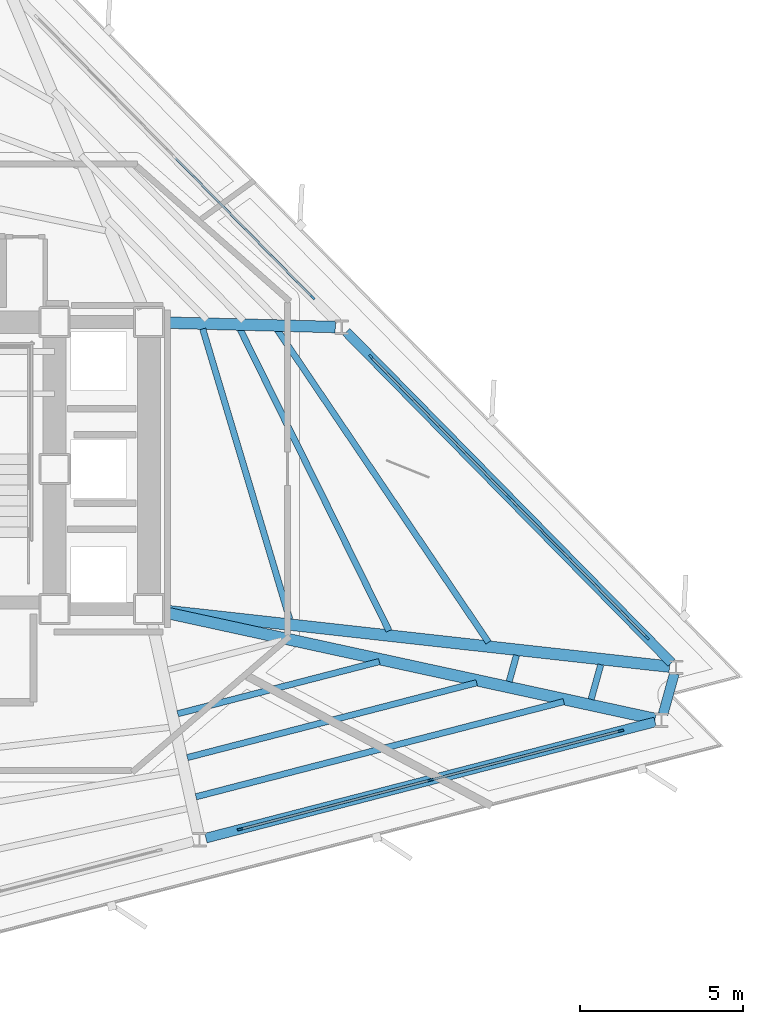
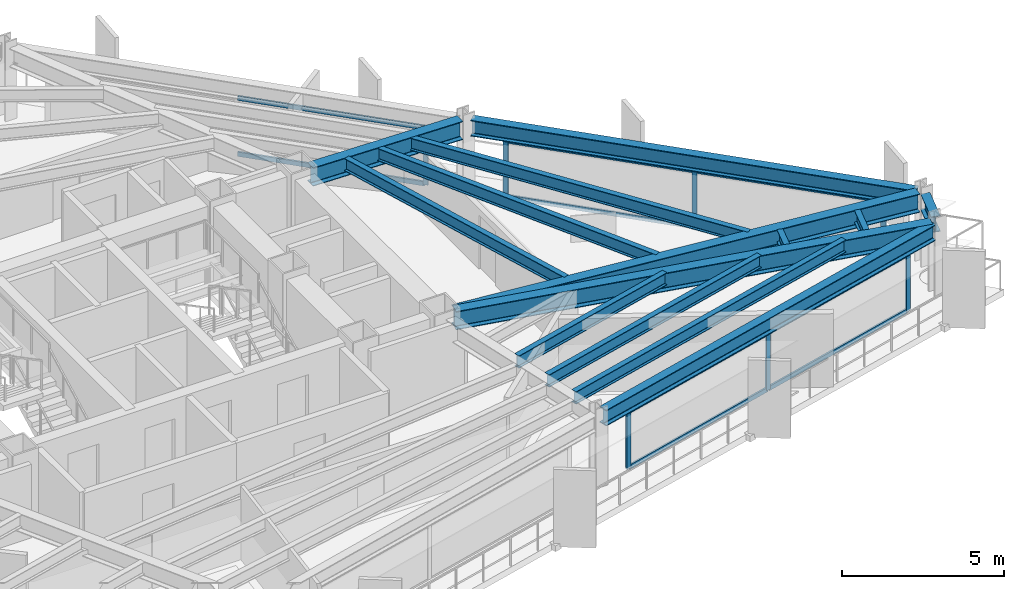
# One storey, part 4 of 11: 17 members, 14 beams, 3 elements without a shape of their own.
"""IFC4 building model written with IfcOpenShell, lengths in metres."""

from ifc_helpers import new_model, si_unit, direction, frame, origin, origin_2d, place, context, subcontext, project, spatial, rectangle, i_section, extrude, material, layer, layer_set, material_profile, profile_set, type_object, element, aggregate, save


model = new_model("IFC4")

# Units and contexts
model_context = context("Model", 3, precision=1e-05, world=origin(), true_north=direction((0.0, 1.0)))
body_context = subcontext(model_context, "Body", "Model", "MODEL_VIEW")
ifc_project = project(units=[si_unit("LENGTHUNIT", "METRE"), si_unit("AREAUNIT", "SQUARE_METRE"), si_unit("VOLUMEUNIT", "CUBIC_METRE"), si_unit("PLANEANGLEUNIT", "RADIAN"), si_unit("MASSUNIT", "GRAM", prefix="KILO")], contexts=[model_context])

# Site, building, storey
site_placement = place(None, origin())
site = spatial("IfcSite", under=ifc_project, at=site_placement, CompositionType="ELEMENT")
building_placement = place(site_placement, origin())
building = spatial("IfcBuilding", under=site, at=building_placement, Name="Rocaltana Carrier Exchange", CompositionType="ELEMENT")
storey_placement = place(building_placement, frame((0.0, 0.0, 88.639892578125)))
storey = spatial("IfcBuildingStorey", under=building, at=storey_placement, Name="L27", CompositionType="ELEMENT", Elevation=88.639892578125)

# Curtain wall, members
ifc_material_1 = material(Name="Aluminium 6063-T6", Category="aluminium")
ifc_layer = layer(ifc_material_1, 0.1650390625)
ifc_layer_set = layer_set([ifc_layer], Name="Aluminium 6063-T6")
curtain_wall_type = type_object("IfcCurtainWallType", Name="Lower-Mid Stepped Curtain Wall CW-02", PredefinedType="NOTDEFINED", material=ifc_layer_set)
curtain_wall_1_placement = place(storey_placement, origin())
curtain_wall_1 = element("IfcCurtainWall", 1, at=curtain_wall_1_placement, inside=storey, type_object=curtain_wall_type, Name="L27 CW-02 Run CW-L27-F1S1", PredefinedType="NOTDEFINED")
ifc_material_2 = material(Name="Aluminium 6063-T6", Category="aluminium")
ifc_material_profile_1 = material_profile(ifc_material_2, rectangle(XDim=0.06494140625, YDim=0.1650390625, at=origin_2d()), Name="AL-65X165")
ifc_profile_set_1 = profile_set([ifc_material_profile_1], Name="Aluminium 6063-T6")
member_type_1 = type_object("IfcMemberType", Name="CW-02 Mullion AL-65X165", PredefinedType="MULLION", material=ifc_profile_set_1)
member_1_placement = place(storey_placement, frame((24.21875, -5.1767578125, 0.0), z_axis=(0.0, 0.0, 1.0), x_axis=(-0.713244767898, -0.700915045542, 0.0)))
member_1 = element("IfcMember", 2, at=member_1_placement, type_object=member_type_1, Name="CW-02 mullion 1", PredefinedType="MULLION", context=body_context, shape_type="SweptSolid", body=[
    extrude(rectangle(XDim=0.06494140625, YDim=0.1650390625, at=origin_2d()), origin(), (0.0, 0.0, 1.0), 2.168212890625),
])
member_2_placement = place(storey_placement, frame((19.989501953125, -0.872802734375, 0.0), z_axis=(0.0, 0.0, 1.0), x_axis=(-0.713244767898, -0.700915045542, 0.0)))
member_2 = element("IfcMember", 3, at=member_2_placement, type_object=member_type_1, Name="CW-02 mullion 2", PredefinedType="MULLION", context=body_context, shape_type="SweptSolid", body=[
    extrude(rectangle(XDim=0.06494140625, YDim=0.1650390625, at=origin_2d()), origin(), (0.0, 0.0, 1.0), 2.168212890625),
])
member_3_placement = place(storey_placement, frame((15.760009765625, 3.430908203125, 0.0), z_axis=(0.0, 0.0, 1.0), x_axis=(-0.713244767898, -0.700915045542, 0.0)))
member_3 = element("IfcMember", 4, at=member_3_placement, type_object=member_type_1, Name="CW-02 mullion 3", PredefinedType="MULLION", context=body_context, shape_type="SweptSolid", body=[
    extrude(rectangle(XDim=0.06494140625, YDim=0.1650390625, at=origin_2d()), origin(), (0.0, 0.0, 1.0), 2.168212890625),
])

# Curtain wall, member
curtain_wall_2_placement = place(storey_placement, origin())
curtain_wall_2 = element("IfcCurtainWall", 5, at=curtain_wall_2_placement, inside=storey, type_object=curtain_wall_type, Name="L27 CW-02 Run CW-L27-F1S2", PredefinedType="NOTDEFINED")
member_4_placement = place(storey_placement, frame((13.962158203125, 5.260498046875, 0.0), z_axis=(0.0, 0.0, 1.0), x_axis=(-0.713244696676, -0.700915118017, 0.0)))
member_4 = element("IfcMember", 6, at=member_4_placement, type_object=member_type_1, Name="CW-02 mullion 1", PredefinedType="MULLION", context=body_context, shape_type="SweptSolid", body=[
    extrude(rectangle(XDim=0.06494140625, YDim=0.1650390625, at=origin_2d()), origin(), (0.0, 0.0, 1.0), 2.168212890625),
])

# Curtain wall, members
curtain_wall_3_placement = place(storey_placement, origin())
curtain_wall_3 = element("IfcCurtainWall", 7, at=curtain_wall_3_placement, inside=storey, type_object=curtain_wall_type, Name="L27 CW-02 Run CW-L27-F3S3", PredefinedType="NOTDEFINED")
member_5_placement = place(storey_placement, frame((11.741943359375, -11.057861328125, 0.0), z_axis=(0.0, 0.0, 1.0), x_axis=(-0.250370035526, 0.96815021836, 0.0)))
member_5 = element("IfcMember", 8, at=member_5_placement, type_object=member_type_1, Name="CW-02 mullion 1", PredefinedType="MULLION", context=body_context, shape_type="SweptSolid", body=[
    extrude(rectangle(XDim=0.06494140625, YDim=0.1650390625, at=origin_2d()), origin(), (0.0, 0.0, 1.0), 2.168212890625),
])
member_6_placement = place(storey_placement, frame((17.583740234375, -9.547119140625, 0.0), z_axis=(0.0, 0.0, 1.0), x_axis=(-0.250370035526, 0.96815021836, 0.0)))
member_6 = element("IfcMember", 9, at=member_6_placement, type_object=member_type_1, Name="CW-02 mullion 2", PredefinedType="MULLION", context=body_context, shape_type="SweptSolid", body=[
    extrude(rectangle(XDim=0.06494140625, YDim=0.1650390625, at=origin_2d()), origin(), (0.0, 0.0, 1.0), 2.168212890625),
])
member_7_placement = place(storey_placement, frame((23.42578125, -8.036376953125, 0.0), z_axis=(0.0, 0.0, 1.0), x_axis=(-0.250370035526, 0.96815021836, 0.0)))
member_7 = element("IfcMember", 10, at=member_7_placement, type_object=member_type_1, Name="CW-02 mullion 3", PredefinedType="MULLION", context=body_context, shape_type="SweptSolid", body=[
    extrude(rectangle(XDim=0.06494140625, YDim=0.1650390625, at=origin_2d()), origin(), (0.0, 0.0, 1.0), 2.168212890625),
])

# Member
ifc_material_3 = material(Name="Aluminium 6063-T6", Category="aluminium")
ifc_material_profile_2 = material_profile(ifc_material_3, rectangle(XDim=0.06494140625, YDim=0.1650390625, at=origin_2d()), Name="AL-65X165")
ifc_profile_set_2 = profile_set([ifc_material_profile_2], Name="Aluminium 6063-T6")
member_type_2 = type_object("IfcMemberType", Name="CW-02 Transom AL-65X165", PredefinedType="USERDEFINED", material=ifc_profile_set_2)
member_8_placement = place(storey_placement, frame((24.196044921875, -5.153564453125, 0.03271484375), z_axis=(-0.700903905011, 0.713255715673, 0.0), x_axis=(-0.713255715673, -0.700903905011, 0.0)))
member_8 = element("IfcMember", 11, at=member_8_placement, type_object=member_type_2, Name="CW-02 transom 1.1", ObjectType="TRANSOM", PredefinedType="USERDEFINED", context=body_context, shape_type="SweptSolid", body=[
    extrude(rectangle(XDim=0.06494140625, YDim=0.1650390625, at=origin_2d()), origin(), (0.0, 0.0, 1.0), 5.96923828125),
])

member_9_placement = place(storey_placement, frame((24.196044921875, -5.153564453125, 2.135498046875), z_axis=(-0.700903905011, 0.713255715673, 0.0), x_axis=(-0.713255715673, -0.700903905011, 0.0)))
member_9 = element("IfcMember", 12, at=member_9_placement, type_object=member_type_2, Name="CW-02 transom 1.2", ObjectType="TRANSOM", PredefinedType="USERDEFINED", context=body_context, shape_type="SweptSolid", body=[
    extrude(rectangle(XDim=0.06494140625, YDim=0.1650390625, at=origin_2d()), origin(), (0.0, 0.0, 1.0), 5.96923828125),
])

member_10_placement = place(storey_placement, frame((19.966552734375, -0.849609375, 0.03271484375), z_axis=(-0.700924352217, 0.713235621985, 0.0), x_axis=(-0.713235621985, -0.700924352217, 0.0)))
member_10 = element("IfcMember", 13, at=member_10_placement, type_object=member_type_2, Name="CW-02 transom 2.1", ObjectType="TRANSOM", PredefinedType="USERDEFINED", context=body_context, shape_type="SweptSolid", body=[
    extrude(rectangle(XDim=0.06494140625, YDim=0.1650390625, at=origin_2d()), origin(), (0.0, 0.0, 1.0), 5.968994140625),
])

member_11_placement = place(storey_placement, frame((19.966552734375, -0.849609375, 2.135498046875), z_axis=(-0.700924352217, 0.713235621985, 0.0), x_axis=(-0.713235621985, -0.700924352217, 0.0)))
member_11 = element("IfcMember", 14, at=member_11_placement, type_object=member_type_2, Name="CW-02 transom 2.2", ObjectType="TRANSOM", PredefinedType="USERDEFINED", context=body_context, shape_type="SweptSolid", body=[
    extrude(rectangle(XDim=0.06494140625, YDim=0.1650390625, at=origin_2d()), origin(), (0.0, 0.0, 1.0), 5.968994140625),
])

aggregate(curtain_wall_1, [member_1, member_2, member_3, member_8, member_9, member_10, member_11])

member_12_placement = place(storey_placement, frame((13.939453125, 5.28369140625, 0.03271484375), z_axis=(-0.700903905011, 0.713255715673, 0.0), x_axis=(-0.713255715673, -0.700903905011, 0.0)))
member_12 = element("IfcMember", 15, at=member_12_placement, type_object=member_type_2, Name="CW-02 transom 1.1", ObjectType="TRANSOM", PredefinedType="USERDEFINED", context=body_context, shape_type="SweptSolid", body=[
    extrude(rectangle(XDim=0.06494140625, YDim=0.1650390625, at=origin_2d()), origin(), (0.0, 0.0, 1.0), 5.96923828125),
])

member_13_placement = place(storey_placement, frame((13.939453125, 5.28369140625, 2.135498046875), z_axis=(-0.700903905011, 0.713255715673, 0.0), x_axis=(-0.713255715673, -0.700903905011, 0.0)))
member_13 = element("IfcMember", 16, at=member_13_placement, type_object=member_type_2, Name="CW-02 transom 1.2", ObjectType="TRANSOM", PredefinedType="USERDEFINED", context=body_context, shape_type="SweptSolid", body=[
    extrude(rectangle(XDim=0.06494140625, YDim=0.1650390625, at=origin_2d()), origin(), (0.0, 0.0, 1.0), 5.96923828125),
])

aggregate(curtain_wall_2, [member_4, member_12, member_13])

member_14_placement = place(storey_placement, frame((11.7734375, -11.0498046875, 0.03271484375), z_axis=(0.968142466864, 0.250400007695, 0.0), x_axis=(-0.250400007695, 0.968142466864, 0.0)))
member_14 = element("IfcMember", 17, at=member_14_placement, type_object=member_type_2, Name="CW-02 transom 1.1", ObjectType="TRANSOM", PredefinedType="USERDEFINED", context=body_context, shape_type="SweptSolid", body=[
    extrude(rectangle(XDim=0.06494140625, YDim=0.1650390625, at=origin_2d()), origin(), (0.0, 0.0, 1.0), 5.968994140625),
])

member_15_placement = place(storey_placement, frame((11.7734375, -11.0498046875, 2.135498046875), z_axis=(0.968142466864, 0.250400007695, 0.0), x_axis=(-0.250400007695, 0.968142466864, 0.0)))
member_15 = element("IfcMember", 18, at=member_15_placement, type_object=member_type_2, Name="CW-02 transom 1.2", ObjectType="TRANSOM", PredefinedType="USERDEFINED", context=body_context, shape_type="SweptSolid", body=[
    extrude(rectangle(XDim=0.06494140625, YDim=0.1650390625, at=origin_2d()), origin(), (0.0, 0.0, 1.0), 5.968994140625),
])

member_16_placement = place(storey_placement, frame((17.615234375, -9.5390625, 0.03271484375), z_axis=(0.968145031253, 0.250390092575, 0.0), x_axis=(-0.250390092575, 0.968145031253, 0.0)))
member_16 = element("IfcMember", 19, at=member_16_placement, type_object=member_type_2, Name="CW-02 transom 2.1", ObjectType="TRANSOM", PredefinedType="USERDEFINED", context=body_context, shape_type="SweptSolid", body=[
    extrude(rectangle(XDim=0.06494140625, YDim=0.1650390625, at=origin_2d()), origin(), (0.0, 0.0, 1.0), 5.96923828125),
])

member_17_placement = place(storey_placement, frame((17.615234375, -9.5390625, 2.135498046875), z_axis=(0.968145031253, 0.250390092575, 0.0), x_axis=(-0.250390092575, 0.968145031253, 0.0)))
member_17 = element("IfcMember", 20, at=member_17_placement, type_object=member_type_2, Name="CW-02 transom 2.2", ObjectType="TRANSOM", PredefinedType="USERDEFINED", context=body_context, shape_type="SweptSolid", body=[
    extrude(rectangle(XDim=0.06494140625, YDim=0.1650390625, at=origin_2d()), origin(), (0.0, 0.0, 1.0), 5.96923828125),
])

aggregate(curtain_wall_3, [member_5, member_6, member_7, member_14, member_15, member_16, member_17])

# Beams
ifc_material_4 = material(Name="Steel S355", Category="steel")
ifc_material_profile_3 = material_profile(ifc_material_4, i_section(OverallWidth=0.193115234375, OverallDepth=0.466064453125, WebThickness=0.011474609375, FlangeThickness=0.01904296875, FilletRadius=0.013916015625, at=origin_2d()), Name="W18X65")
ifc_profile_set_3 = profile_set([ifc_material_profile_3], Name="Steel S355")
beam_type_1 = type_object("IfcBeamType", Name="Floor Joist W18X65", PredefinedType="JOIST", material=ifc_profile_set_3)
beam_1_placement = place(storey_placement, frame((13.26611328125, -4.619384765625, 2.55517578125), z_axis=(-0.287034949518, 0.95792011032, 0.0), x_axis=(-0.95792011032, -0.287034949518, 0.0)))
element("IfcBeam", 21, at=beam_1_placement, inside=storey, type_object=beam_type_1, Name="FJ-L27-01-1", PredefinedType="JOIST", context=body_context, shape_type="SweptSolid", body=[
    extrude(i_section(OverallWidth=0.193115234375, OverallDepth=0.466064453125, WebThickness=0.011474609375, FlangeThickness=0.01904296875, FilletRadius=0.013916015625, at=origin_2d()), origin(), (0.0, 0.0, 1.0), 9.30517578125),
])
beam_2_placement = place(storey_placement, frame((16.311279296875, -4.97021484375, 2.55517578125), z_axis=(-0.442813915887, 0.89661353765, 0.0), x_axis=(-0.89661353765, -0.442813915887, 0.0)))
element("IfcBeam", 22, at=beam_2_placement, inside=storey, type_object=beam_type_1, Name="FJ-L27-01-2", PredefinedType="JOIST", context=body_context, shape_type="SweptSolid", body=[
    extrude(i_section(OverallWidth=0.193115234375, OverallDepth=0.466064453125, WebThickness=0.011474609375, FlangeThickness=0.01904296875, FilletRadius=0.013916015625, at=origin_2d()), origin(), (0.0, 0.0, 1.0), 10.311767578125),
])
beam_3_placement = place(storey_placement, frame((19.363037109375, -5.322509765625, 2.55517578125), z_axis=(-0.55996593104, 0.828515634177, 0.0), x_axis=(-0.828515634177, -0.55996593104, 0.0)))
element("IfcBeam", 23, at=beam_3_placement, inside=storey, type_object=beam_type_1, Name="FJ-L27-01-3", PredefinedType="JOIST", context=body_context, shape_type="SweptSolid", body=[
    extrude(i_section(OverallWidth=0.193115234375, OverallDepth=0.466064453125, WebThickness=0.011474609375, FlangeThickness=0.01904296875, FilletRadius=0.013916015625, at=origin_2d()), origin(), (0.0, 0.0, 1.0), 11.56298828125),
])
beam_4_placement = place(storey_placement, frame((9.8291015625, -7.513427734375, 2.55517578125), z_axis=(0.968143557315, 0.250395791558, 0.0), x_axis=(-0.250395791558, 0.968143557315, 0.0)))
element("IfcBeam", 24, at=beam_4_placement, inside=storey, type_object=beam_type_1, Name="FJ-L27-11-2", PredefinedType="JOIST", context=body_context, shape_type="SweptSolid", body=[
    extrude(i_section(OverallWidth=0.193115234375, OverallDepth=0.466064453125, WebThickness=0.011474609375, FlangeThickness=0.01904296875, FilletRadius=0.013916015625, at=origin_2d()), origin(), (0.0, 0.0, 1.0), 6.388427734375),
])
beam_5_placement = place(storey_placement, frame((10.123779296875, -8.8583984375, 2.55517578125), z_axis=(0.968146466447, 0.250384543264, 0.0), x_axis=(-0.250384543264, 0.968146466447, 0.0)))
element("IfcBeam", 25, at=beam_5_placement, inside=storey, type_object=beam_type_1, Name="FJ-L27-11-3", PredefinedType="JOIST", context=body_context, shape_type="SweptSolid", body=[
    extrude(i_section(OverallWidth=0.193115234375, OverallDepth=0.466064453125, WebThickness=0.011474609375, FlangeThickness=0.01904296875, FilletRadius=0.013916015625, at=origin_2d()), origin(), (0.0, 0.0, 1.0), 9.16845703125),
])
beam_6_placement = place(storey_placement, frame((10.38720703125, -10.061767578125, 2.55517578125), z_axis=(0.968148049608, 0.250378421674, 0.0), x_axis=(-0.250378421674, 0.968148049608, 0.0)))
element("IfcBeam", 26, at=beam_6_placement, inside=storey, type_object=beam_type_1, Name="FJ-L27-11-4", PredefinedType="JOIST", context=body_context, shape_type="SweptSolid", body=[
    extrude(i_section(OverallWidth=0.193115234375, OverallDepth=0.466064453125, WebThickness=0.011474609375, FlangeThickness=0.01904296875, FilletRadius=0.013916015625, at=origin_2d()), origin(), (0.0, 0.0, 1.0), 11.65625),
])
beam_7_placement = place(storey_placement, frame((19.998046875, -6.525390625, 2.55517578125), z_axis=(0.267312721501, 0.96360983231, 0.0), x_axis=(-0.96360983231, 0.267312721501, 0.0)))
element("IfcBeam", 27, at=beam_7_placement, inside=storey, type_object=beam_type_1, Name="FJ-L27-12-3", PredefinedType="JOIST", context=body_context, shape_type="SweptSolid", body=[
    extrude(i_section(OverallWidth=0.193115234375, OverallDepth=0.466064453125, WebThickness=0.011474609375, FlangeThickness=0.01904296875, FilletRadius=0.013916015625, at=origin_2d()), origin(), (0.0, 0.0, 1.0), 0.836669921875),
])
beam_8_placement = place(storey_placement, frame((22.5126953125, -7.07177734375, 2.55517578125), z_axis=(0.267336435307, 0.963603253605, 0.0), x_axis=(-0.963603253605, 0.267336435307, 0.0)))
element("IfcBeam", 28, at=beam_8_placement, inside=storey, type_object=beam_type_1, Name="FJ-L27-12-4", PredefinedType="JOIST", context=body_context, shape_type="SweptSolid", body=[
    extrude(i_section(OverallWidth=0.193115234375, OverallDepth=0.466064453125, WebThickness=0.011474609375, FlangeThickness=0.01904296875, FilletRadius=0.013916015625, at=origin_2d()), origin(), (0.0, 0.0, 1.0), 1.10595703125),
])
ifc_material_5 = material(Name="Steel S355", Category="steel")
ifc_material_profile_4 = material_profile(ifc_material_5, i_section(OverallWidth=0.35498046875, OverallDepth=0.695068359375, WebThickness=0.015380859375, FlangeThickness=0.02490234375, FilletRadius=0.01806640625, at=origin_2d()), Name="W27X146")
ifc_profile_set_4 = profile_set([ifc_material_profile_4], Name="Steel S355")
beam_type_2 = type_object("IfcBeamType", Name="Radial Girder W27X146", PredefinedType="BEAM", material=ifc_profile_set_4)
beam_9_placement = place(storey_placement, frame((9.414306640625, -4.351318359375, 2.440673828125), z_axis=(0.993916704851, -0.110134389809, 0.0), x_axis=(0.110134389809, 0.993916704851, 0.0)))
element("IfcBeam", 29, at=beam_9_placement, inside=storey, type_object=beam_type_2, Name="RG-L27-01", PredefinedType="BEAM", context=body_context, shape_type="SweptSolid", body=[
    extrude(i_section(OverallWidth=0.35498046875, OverallDepth=0.695068359375, WebThickness=0.015380859375, FlangeThickness=0.02490234375, FilletRadius=0.01806640625, at=origin_2d()), origin(), (0.0, 0.0, 1.0), 15.6015625),
])
beam_10_placement = place(storey_placement, frame((9.416748046875, 4.48779296875, 2.440673828125), z_axis=(0.99965940255, -0.026097488242, 0.0), x_axis=(0.026097488242, 0.99965940255, 0.0)))
element("IfcBeam", 30, at=beam_10_placement, inside=storey, type_object=beam_type_2, Name="RG-L27-02", PredefinedType="BEAM", context=body_context, shape_type="SweptSolid", body=[
    extrude(i_section(OverallWidth=0.35498046875, OverallDepth=0.695068359375, WebThickness=0.015380859375, FlangeThickness=0.02490234375, FilletRadius=0.01806640625, at=origin_2d()), origin(), (0.0, 0.0, 1.0), 5.248046875),
])
beam_11_placement = place(storey_placement, frame((9.406494140625, -4.399169921875, 2.440673828125), z_axis=(0.977197794576, -0.212331039362, 0.0), x_axis=(0.212331039362, 0.977197794576, 0.0)))
element("IfcBeam", 31, at=beam_11_placement, inside=storey, type_object=beam_type_2, Name="RG-L27-12", PredefinedType="BEAM", context=body_context, shape_type="SweptSolid", body=[
    extrude(i_section(OverallWidth=0.35498046875, OverallDepth=0.695068359375, WebThickness=0.015380859375, FlangeThickness=0.02490234375, FilletRadius=0.01806640625, at=origin_2d()), origin(), (0.0, 0.0, 1.0), 15.4189453125),
])
ifc_material_6 = material(Name="Steel S355", Category="steel")
ifc_material_profile_5 = material_profile(ifc_material_6, i_section(OverallWidth=0.300048828125, OverallDepth=0.60009765625, WebThickness=0.015380859375, FlangeThickness=0.030029296875, FilletRadius=0.027099609375, at=origin_2d()), Name="HEB600")
ifc_profile_set_5 = profile_set([ifc_material_profile_5], Name="Steel S355")
beam_type_3 = type_object("IfcBeamType", Name="Spandrel Edge Beam HEB600", PredefinedType="SPANDREL", material=ifc_profile_set_5)
beam_12_placement = place(storey_placement, frame((24.97900390625, -5.9501953125, 2.488037109375), z_axis=(-0.700906560302, 0.713253106356, 0.0), x_axis=(-0.713253106356, -0.700906560302, 0.0)))
element("IfcBeam", 32, at=beam_12_placement, inside=storey, type_object=beam_type_3, Name="SP-L27-01", PredefinedType="SPANDREL", context=body_context, shape_type="SweptSolid", body=[
    extrude(i_section(OverallWidth=0.300048828125, OverallDepth=0.60009765625, WebThickness=0.015380859375, FlangeThickness=0.030029296875, FilletRadius=0.027099609375, at=origin_2d()), origin(), (0.0, 0.0, 1.0), 14.2373046875),
])
beam_13_placement = place(storey_placement, frame((10.69189453125, -11.329345703125, 2.488037109375), z_axis=(0.968151928299, 0.250363423309, 0.0), x_axis=(-0.250363423309, 0.968151928299, 0.0)))
element("IfcBeam", 33, at=beam_13_placement, inside=storey, type_object=beam_type_3, Name="SP-L27-11", PredefinedType="SPANDREL", context=body_context, shape_type="SweptSolid", body=[
    extrude(i_section(OverallWidth=0.300048828125, OverallDepth=0.60009765625, WebThickness=0.015380859375, FlangeThickness=0.030029296875, FilletRadius=0.027099609375, at=origin_2d()), origin(), (0.0, 0.0, 1.0), 14.237060546875),
])
beam_14_placement = place(storey_placement, frame((24.72021484375, -7.5244140625, 2.488037109375), z_axis=(0.267233578385, 0.963631783714, 0.0), x_axis=(-0.963631783714, 0.267233578385, 0.0)))
element("IfcBeam", 34, at=beam_14_placement, inside=storey, type_object=beam_type_3, Name="SP-L27-12", PredefinedType="SPANDREL", context=body_context, shape_type="SweptSolid", body=[
    extrude(i_section(OverallWidth=0.300048828125, OverallDepth=0.60009765625, WebThickness=0.015380859375, FlangeThickness=0.030029296875, FilletRadius=0.027099609375, at=origin_2d()), origin(), (0.0, 0.0, 1.0), 1.2890625),
])

save(model, "model.ifc")
